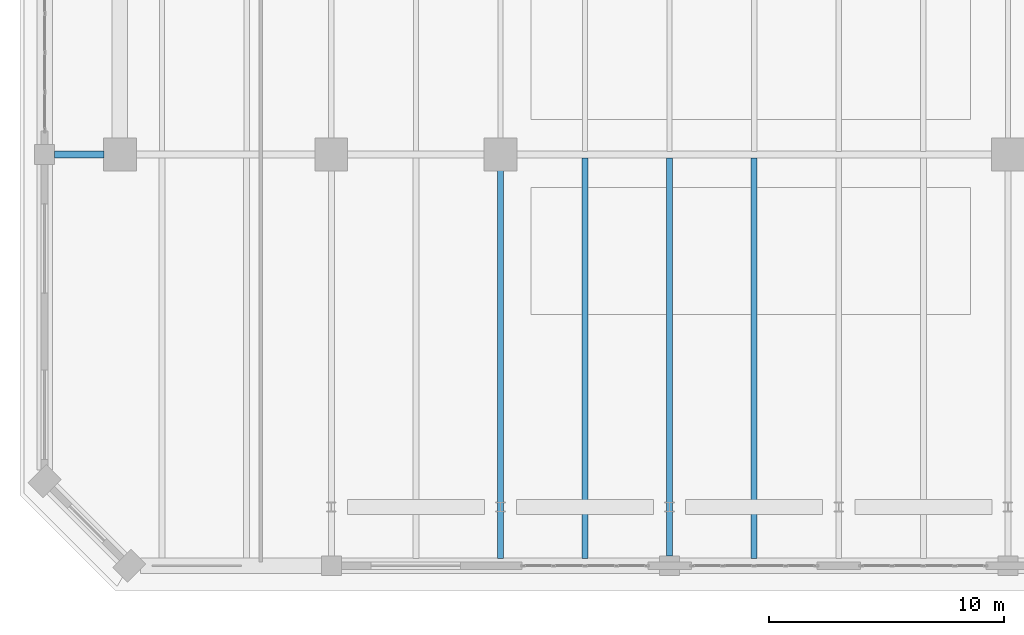
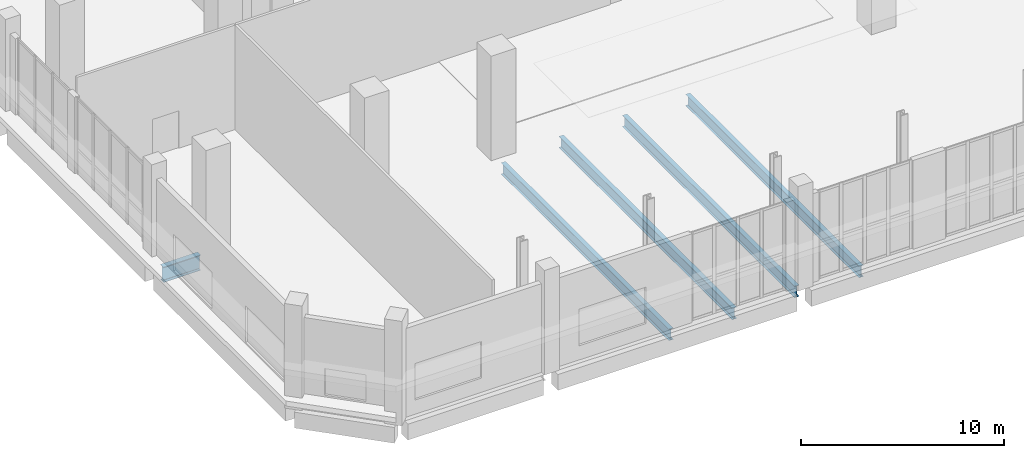
# One storey, part 6 of 29: 5 beams.
"""IFC4 building model written with IfcOpenShell, lengths in metres."""

from ifc_helpers import new_model, si_unit, direction, frame, origin, origin_2d, place, context, subcontext, project, spatial, i_section, extrude, material, material_profile, profile_set, type_object, element, save


model = new_model("IFC4")

# Units and contexts
model_context = context("Model", 3, precision=1e-05, world=origin(), true_north=direction((0.0, 1.0)))
body_context = subcontext(model_context, "Body", "Model", "MODEL_VIEW")
ifc_project = project(units=[si_unit("LENGTHUNIT", "METRE"), si_unit("AREAUNIT", "SQUARE_METRE"), si_unit("VOLUMEUNIT", "CUBIC_METRE"), si_unit("PLANEANGLEUNIT", "RADIAN"), si_unit("MASSUNIT", "GRAM", prefix="KILO")], contexts=[model_context])

# Site, building, storey
site_placement = place(None, origin())
site = spatial("IfcSite", under=ifc_project, at=site_placement, CompositionType="ELEMENT")
building_placement = place(site_placement, origin())
building = spatial("IfcBuilding", under=site, at=building_placement, Name="Kaelvorn Grand Hotel", CompositionType="ELEMENT")
storey_placement = place(building_placement, frame((0.0, 0.0, 19.39990234375)))
storey = spatial("IfcBuildingStorey", under=building, at=storey_placement, Name="L03", CompositionType="ELEMENT", Elevation=19.39990234375)

# Beams
ifc_material = material(Name="Steel S355", Category="steel")
ifc_material_profile_1 = material_profile(ifc_material, i_section(OverallWidth=0.305419921875, OverallDepth=0.91845703125, WebThickness=0.017333984375, FlangeThickness=0.02783203125, FilletRadius=0.01904296875, at=origin_2d()), Name="UB 914x305x253")
ifc_profile_set_1 = profile_set([ifc_material_profile_1], Name="Steel S355")
beam_type_1 = type_object("IfcBeamType", Name="BM-G-UB914-S355", PredefinedType="BEAM", material=ifc_profile_set_1)
beam_1_placement = place(storey_placement, frame((-2.7900390625, 15.0, -0.779052734375), z_axis=(1.0, 0.0, 0.0), x_axis=(0.0, 1.0, 0.0)))
element("IfcBeam", 1, at=beam_1_placement, inside=storey, type_object=beam_type_1, Name="L03 Primary Spine Steel Girder G-15 01", PredefinedType="BEAM", context=body_context, shape_type="SweptSolid", body=[
    extrude(i_section(OverallWidth=0.305419921875, OverallDepth=0.91845703125, WebThickness=0.017333984375, FlangeThickness=0.02783203125, FilletRadius=0.01904296875, at=origin_2d()), origin(), (0.0, 0.0, 1.0), 2.10498046875),
])
ifc_material_profile_2 = material_profile(ifc_material, i_section(OverallWidth=0.25439453125, OverallDepth=0.6875, WebThickness=0.01318359375, FlangeThickness=0.02099609375, FilletRadius=0.01513671875, at=origin_2d()), Name="UB 686x254x152")
ifc_profile_set_2 = profile_set([ifc_material_profile_2], Name="Steel S355")
beam_type_2 = type_object("IfcBeamType", Name="BM-J-UB686-S355", PredefinedType="JOIST", material=ifc_profile_set_2)
beam_2_placement = place(storey_placement, frame((16.199951171875, -2.18994140625, -0.66357421875), z_axis=(0.0, 1.0, 0.0), x_axis=(-1.0, 0.0, 0.0)))
element("IfcBeam", 2, at=beam_2_placement, inside=storey, type_object=beam_type_2, Name="L03 Composite Floor Joist JS-05", PredefinedType="JOIST", context=body_context, shape_type="SweptSolid", body=[
    extrude(i_section(OverallWidth=0.25439453125, OverallDepth=0.6875, WebThickness=0.01318359375, FlangeThickness=0.02099609375, FilletRadius=0.01513671875, at=origin_2d()), origin(), (0.0, 0.0, 1.0), 16.5048828125),
])
beam_3_placement = place(storey_placement, frame((19.800048828125, -2.18994140625, -0.66357421875), z_axis=(0.0, 1.0, 0.0), x_axis=(-1.0, 0.0, 0.0)))
element("IfcBeam", 3, at=beam_3_placement, inside=storey, type_object=beam_type_2, Name="L03 Composite Floor Joist JS-06", PredefinedType="JOIST", context=body_context, shape_type="SweptSolid", body=[
    extrude(i_section(OverallWidth=0.25439453125, OverallDepth=0.6875, WebThickness=0.01318359375, FlangeThickness=0.02099609375, FilletRadius=0.01513671875, at=origin_2d()), origin(), (0.0, 0.0, 1.0), 17.05224609375),
])
beam_4_placement = place(storey_placement, frame((23.39990234375, -2.090087890625, -0.66357421875), z_axis=(0.0, 1.0, 0.0), x_axis=(-1.0, 0.0, 0.0)))
element("IfcBeam", 4, at=beam_4_placement, inside=storey, type_object=beam_type_2, Name="L03 Composite Floor Joist JS-07", PredefinedType="JOIST", context=body_context, shape_type="SweptSolid", body=[
    extrude(i_section(OverallWidth=0.25439453125, OverallDepth=0.6875, WebThickness=0.01318359375, FlangeThickness=0.02099609375, FilletRadius=0.01513671875, at=origin_2d()), origin(), (0.0, 0.0, 1.0), 16.952392578125),
])
beam_5_placement = place(storey_placement, frame((27.0, -2.18994140625, -0.66357421875), z_axis=(0.0, 1.0, 0.0), x_axis=(-1.0, 0.0, 0.0)))
element("IfcBeam", 5, at=beam_5_placement, inside=storey, type_object=beam_type_2, Name="L03 Composite Floor Joist JS-08", PredefinedType="JOIST", context=body_context, shape_type="SweptSolid", body=[
    extrude(i_section(OverallWidth=0.25439453125, OverallDepth=0.6875, WebThickness=0.01318359375, FlangeThickness=0.02099609375, FilletRadius=0.01513671875, at=origin_2d()), origin(), (0.0, 0.0, 1.0), 17.05224609375),
])

save(model, "model.ifc")
